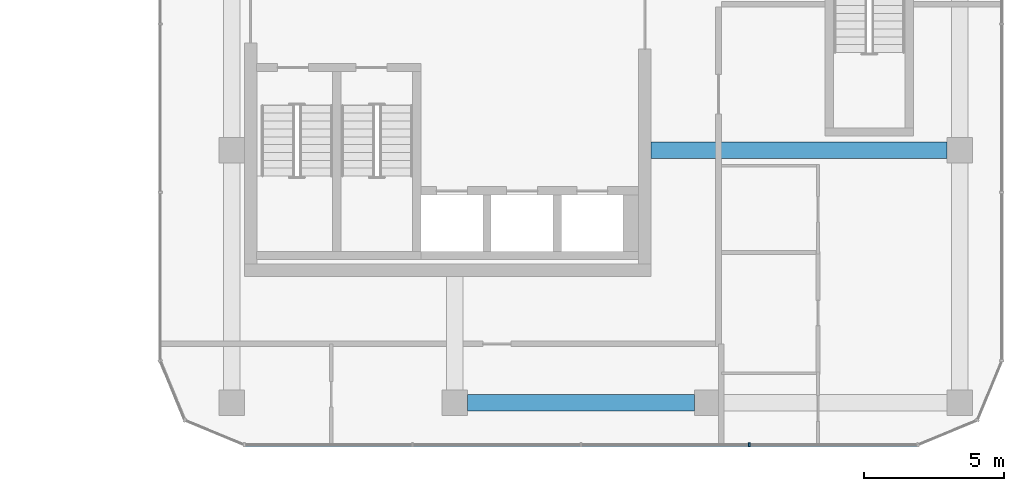
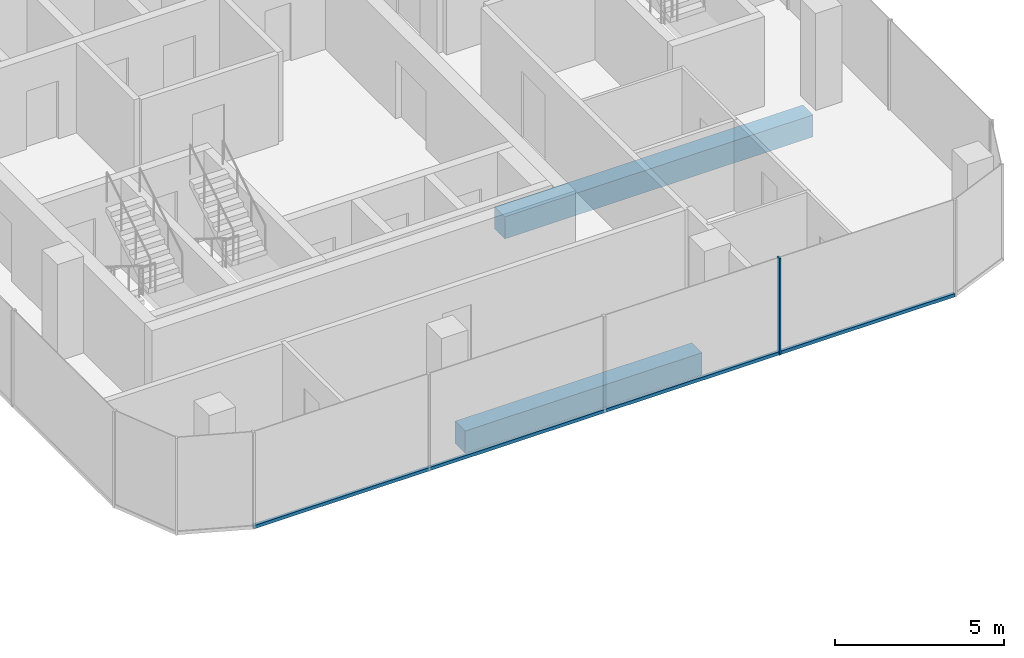
# One storey, part 8 of 23: 2 beams, 2 members, 1 element without a shape of its own.
"""IFC4 building model written with IfcOpenShell, lengths in metres."""

from ifc_helpers import new_model, si_unit, direction, frame, origin, origin_2d, place, context, subcontext, project, spatial, rectangle, extrude, material, layer, layer_set, material_profile, profile_set, type_object, element, aggregate, save


model = new_model("IFC4")

# Units and contexts
model_context = context("Model", 3, precision=1e-05, world=origin(), true_north=direction((0.0, 1.0)))
body_context = subcontext(model_context, "Body", "Model", "MODEL_VIEW")
ifc_project = project(units=[si_unit("LENGTHUNIT", "METRE"), si_unit("AREAUNIT", "SQUARE_METRE"), si_unit("VOLUMEUNIT", "CUBIC_METRE"), si_unit("PLANEANGLEUNIT", "RADIAN"), si_unit("MASSUNIT", "GRAM", prefix="KILO")], contexts=[model_context])

# Site, building, storey
site_placement = place(None, origin())
site = spatial("IfcSite", under=ifc_project, at=site_placement, CompositionType="ELEMENT")
building_placement = place(site_placement, origin())
building = spatial("IfcBuilding", under=site, at=building_placement, Name="Plateau Cross Towers", CompositionType="ELEMENT")
storey_placement = place(building_placement, frame((0.0, 0.0, 85.300048828125)))
storey = spatial("IfcBuildingStorey", under=building, at=storey_placement, Name="L21", CompositionType="ELEMENT", Elevation=85.300048828125)

# Beam
ifc_material_1 = material(Name="Concrete C60/75", Category="concrete")
ifc_material_profile_1 = material_profile(ifc_material_1, rectangle(XDim=0.60009765625, YDim=0.800048828125, at=origin_2d()), Name="RC 600x800")
ifc_profile_set_1 = profile_set([ifc_material_profile_1], Name="Concrete C60/75")
beam_type_1 = type_object("IfcBeamType", Name="Core beam RC 600x800", PredefinedType="BEAM", material=ifc_profile_set_1)
beam_1_placement = place(storey_placement, frame((89.5, 4.5, -0.650146484375), z_axis=(1.0, 0.0, 0.0), x_axis=(0.0, 1.0, 0.0)))
element("IfcBeam", 1, at=beam_1_placement, inside=storey, type_object=beam_type_1, Name="B-CB02@L21", PredefinedType="BEAM", context=body_context, shape_type="SweptSolid", body=[
    extrude(rectangle(XDim=0.60009765625, YDim=0.800048828125, at=origin_2d()), origin(), (0.0, 0.0, 1.0), 10.550048828125),
])

# Curtain wall, member
ifc_material_2 = material(Name="Dark low-iron glass", Category="glass")
ifc_layer = layer(ifc_material_2, 0.239990234375)
ifc_layer_set = layer_set([ifc_layer], Name="Dark low-iron glass")
curtain_wall_type = type_object("IfcCurtainWallType", Name="Curtain wall office unitised CW-F", PredefinedType="NOTDEFINED", material=ifc_layer_set)
curtain_wall_placement = place(storey_placement, origin())
curtain_wall = element("IfcCurtainWall", 2, at=curtain_wall_placement, inside=storey, type_object=curtain_wall_type, Name="ENV/B/L21/B750_-60", PredefinedType="NOTDEFINED")
ifc_material_3 = material(Name="Black anodised aluminium", Category="aluminium")
ifc_material_profile_2 = material_profile(ifc_material_3, rectangle(XDim=0.06005859375, YDim=0.139892578125, at=origin_2d()), Name="MULLION 60x140")
ifc_profile_set_2 = profile_set([ifc_material_profile_2], Name="Black anodised aluminium")
member_type_1 = type_object("IfcMemberType", Name="Mullion 60x140 office unitised", PredefinedType="MULLION", material=ifc_profile_set_2)
member_1_placement = place(storey_placement, frame((93.0, -6.0, -0.25), z_axis=(0.0, 0.0, 1.0), x_axis=(1.0, 0.0, 0.0)))
member_1 = element("IfcMember", 3, at=member_1_placement, type_object=member_type_1, Name="CW-F mullion 4", PredefinedType="MULLION", context=body_context, shape_type="SweptSolid", body=[
    extrude(rectangle(XDim=0.06005859375, YDim=0.139892578125, at=origin_2d()), origin(), (0.0, 0.0, 1.0), 3.5),
])

# Beam
ifc_material_profile_3 = material_profile(ifc_material_1, rectangle(XDim=0.60009765625, YDim=0.800048828125, at=origin_2d()), Name="RC 600x800")
ifc_profile_set_3 = profile_set([ifc_material_profile_3], Name="Concrete C60/75")
beam_type_2 = type_object("IfcBeamType", Name="Ring beam RC 600x800", PredefinedType="BEAM", material=ifc_profile_set_3)
beam_2_placement = place(storey_placement, frame((82.949951171875, -4.5, -0.650146484375), z_axis=(1.0, 0.0, 0.0), x_axis=(0.0, 1.0, 0.0)))
element("IfcBeam", 4, at=beam_2_placement, inside=storey, type_object=beam_type_2, Name="B-RB01@L21", PredefinedType="BEAM", context=body_context, shape_type="SweptSolid", body=[
    extrude(rectangle(XDim=0.60009765625, YDim=0.800048828125, at=origin_2d()), origin(), (0.0, 0.0, 1.0), 8.10009765625),
])

# Member
ifc_material_profile_4 = material_profile(ifc_material_3, rectangle(XDim=0.10009765625, YDim=0.1201171875, at=origin_2d()), Name="TRANSOM 100x120")
ifc_profile_set_4 = profile_set([ifc_material_profile_4], Name="Black anodised aluminium")
member_type_2 = type_object("IfcMemberType", Name="Transom 100x120 office unitised", PredefinedType="USERDEFINED", material=ifc_profile_set_4)
member_2_placement = place(storey_placement, frame((75.0, -6.0, -0.18994140625), z_axis=(1.0, 0.0, 0.0), x_axis=(0.0, 1.0, 0.0)))
member_2 = element("IfcMember", 5, at=member_2_placement, type_object=member_type_2, Name="CW-F transom", ObjectType="TRANSOM", PredefinedType="USERDEFINED", context=body_context, shape_type="SweptSolid", body=[
    extrude(rectangle(XDim=0.10009765625, YDim=0.1201171875, at=origin_2d()), origin(), (0.0, 0.0, 1.0), 24.0),
])

aggregate(curtain_wall, [member_1, member_2])

save(model, "model.ifc")
